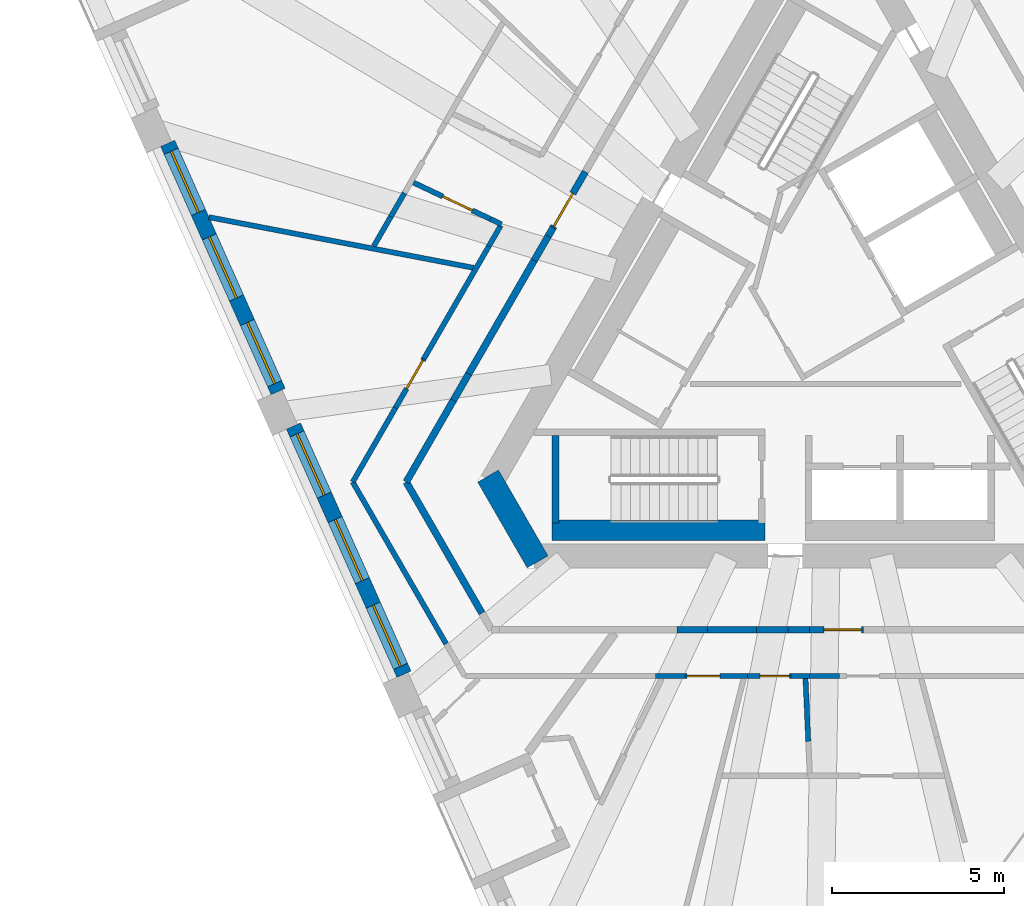
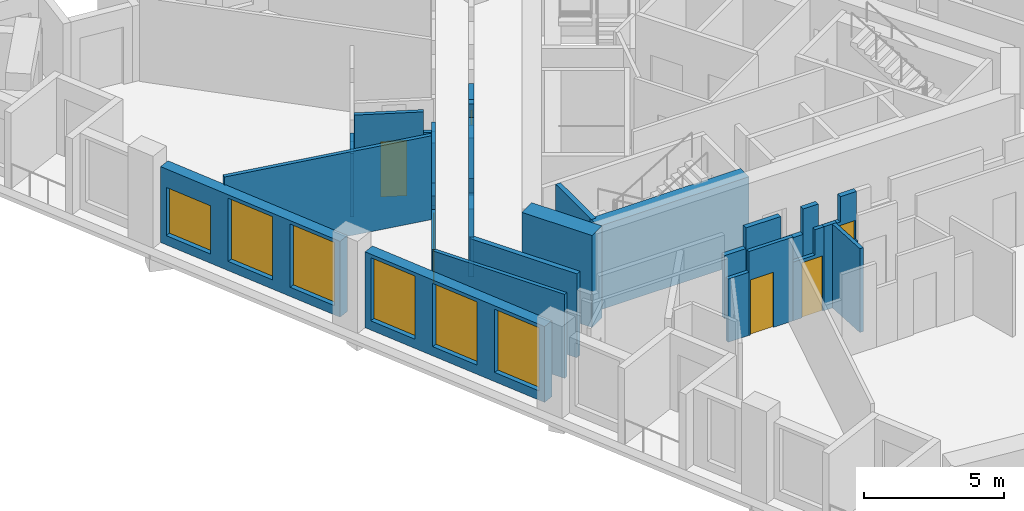
# One storey, part 3 of 11: 33 walls, 6 doors, 6 windows, 12 openings.
"""IFC4 building model written with IfcOpenShell, lengths in metres."""

from ifc_helpers import new_model, si_unit, direction, frame, frame_2d, origin, place, context, subcontext, project, spatial, polyline, rectangle, outline, extrude, material, layer, layer_set, type_object, element, fill, save


model = new_model("IFC4")

# Units and contexts
model_context = context("Model", 3, precision=1e-05, world=origin(), true_north=direction((0.0, 1.0)))
body_context = subcontext(model_context, "Body", "Model", "MODEL_VIEW")
ifc_project = project(units=[si_unit("LENGTHUNIT", "METRE"), si_unit("AREAUNIT", "SQUARE_METRE"), si_unit("VOLUMEUNIT", "CUBIC_METRE"), si_unit("PLANEANGLEUNIT", "RADIAN"), si_unit("MASSUNIT", "GRAM", prefix="KILO")], contexts=[model_context])

# Site, building, storey
site_placement = place(None, origin())
site = spatial("IfcSite", under=ifc_project, at=site_placement, CompositionType="ELEMENT")
building_placement = place(site_placement, origin())
building = spatial("IfcBuilding", under=site, at=building_placement, Name="Tramontana Tower", CompositionType="ELEMENT")
storey_placement = place(building_placement, frame((0.0, 0.0, 249.199951171875)))
storey = spatial("IfcBuildingStorey", under=building, at=storey_placement, Name="L58", CompositionType="ELEMENT", Elevation=249.199951171875)

# Wall
ifc_material_1 = material(Name="Concrete 70 MPa", Category="concrete")
ifc_layer_1 = layer(ifc_material_1, 0.699951171875)
ifc_layer_set_1 = layer_set([ifc_layer_1], Name="Core wall 700 70 MPa")
wall_type_1 = type_object("IfcWallType", Name="Core wall 700 70 MPa", PredefinedType="SHEAR", material=ifc_layer_set_1)
wall_1_placement = place(storey_placement, frame((-9.94482421875, -4.074951171875, 0.0), z_axis=(0.0, 0.0, 1.0), x_axis=(0.499995765644, -0.866027848477, 0.0)))
element("IfcWall", 1, at=wall_1_placement, inside=storey, type_object=wall_type_1, Name="Core wall C2 L58", PredefinedType="SHEAR", context=body_context, shape_type="SweptSolid", body=[
    extrude(rectangle(XDim=2.88671875, YDim=0.699951171875, at=frame_2d((1.443359375, 0.0))), origin(), (0.0, 0.0, 1.0), 4.0),
])

# Wall, opening, door
ifc_material_2 = material(Name="Blockwork", Category="masonry")
ifc_layer_2 = layer(ifc_material_2, 0.199951171875)
ifc_layer_set_2 = layer_set([ifc_layer_2], Name="ENTRY WALL 200")
wall_type_2 = type_object("IfcWallType", Name="ENTRY WALL 200", PredefinedType="SOLIDWALL", material=ifc_layer_set_2)
wall_2_placement = place(storey_placement, frame((0.98046875, -8.550048828125, 0.0), z_axis=(0.0, 0.0, 1.0), x_axis=(-1.0, 0.0, 0.0)))
wall_2 = element("IfcWall", 2, at=wall_2_placement, inside=storey, type_object=wall_type_2, Name="Wall v61-ew1-5", PredefinedType="SOLIDWALL", context=body_context, shape_type="SweptSolid", body=[
    extrude(outline(polyline([(0.0, 0.0), (1.565673828125, 0.0), (1.56591796875, 2.550048828125), (0.665771484375, 2.550048828125), (0.665771484375, 3.650146484375), (0.0, 3.650146484375), (0.0, 0.0)])), frame((0.0, 0.10009765625, 0.0), z_axis=(0.0, -1.0, 0.0), x_axis=(1.0, 0.0, 0.0)), (0.0, 0.0, 1.0), 0.199951171875),
])
opening_1_placement = place(wall_2_placement, frame((0.050048828125, 0.0, 0.0)))
opening_1 = element("IfcOpeningElement", 3, at=opening_1_placement, cuts=wall_2, Name="Opening B6B-22", PredefinedType="OPENING", context=body_context, shape_type="SweptSolid", body=[
    extrude(rectangle(XDim=1.10009765625, YDim=2.39990234375, at=frame_2d((0.550048828125, 1.199951171875))), frame((0.0, 0.10986328125, 0.0), z_axis=(0.0, -1.0, 0.0), x_axis=(1.0, 0.0, 0.0)), (0.0, 0.0, 1.0), 0.219970703125),
])
ifc_material_3 = material(Name="Painted timber", Category="wood")
door_type_1 = type_object("IfcDoorType", Name="DOOR ENTRY 1100", OperationType="SINGLE_SWING_LEFT", PredefinedType="DOOR", material=ifc_material_3)
door_1_placement = place(opening_1_placement, origin())
door_1 = element("IfcDoor", 4, at=door_1_placement, inside=storey, type_object=door_type_1, Name="Door B6B-22", OperationType="SINGLE_SWING_RIGHT", OverallHeight=2.39990234375, OverallWidth=1.10009765625, PredefinedType="DOOR", context=body_context, shape_type="SweptSolid", body=[
    extrude(rectangle(XDim=1.10009765625, YDim=2.39990234375, at=frame_2d((0.550048828125, 1.199951171875))), frame((0.0, 0.02490234375, 0.0), z_axis=(0.0, -1.0, 0.0), x_axis=(1.0, 0.0, 0.0)), (0.0, 0.0, 1.0), 0.050048828125),
])
fill(opening_1, door_1)

# Walls
wall_3_placement = place(storey_placement, frame((-0.585205078125, -8.550048828125, 0.0), z_axis=(0.0, 0.0, 1.0), x_axis=(-1.0, 0.0, 0.0)))
element("IfcWall", 5, at=wall_3_placement, inside=storey, type_object=wall_type_2, Name="Wall v61-ew1-6", PredefinedType="SOLIDWALL", context=body_context, shape_type="SweptSolid", body=[
    extrude(rectangle(XDim=0.6328125, YDim=0.199951171875, at=frame_2d((0.31640625, 0.0))), origin(), (0.0, 0.0, 1.0), 3.650146484375),
])
wall_4_placement = place(storey_placement, frame((-1.218017578125, -8.550048828125, 0.0), z_axis=(0.0, 0.0, 1.0), x_axis=(-1.0, 0.0, 0.0)))
element("IfcWall", 6, at=wall_4_placement, inside=storey, type_object=wall_type_2, Name="Wall v61-ew1-7", PredefinedType="SOLIDWALL", context=body_context, shape_type="SweptSolid", body=[
    extrude(rectangle(XDim=0.9169921875, YDim=0.199951171875, at=frame_2d((0.45849609375, 0.0))), origin(), (0.0, 0.0, 1.0), 2.550048828125),
])
wall_5_placement = place(storey_placement, frame((-2.135009765625, -8.550048828125, 0.0), z_axis=(0.0, 0.0, 1.0), x_axis=(-1.0, 0.0, 0.0)))
element("IfcWall", 7, at=wall_5_placement, inside=storey, type_object=wall_type_2, Name="Wall v61-ew1-8", PredefinedType="SOLIDWALL", context=body_context, shape_type="SweptSolid", body=[
    extrude(rectangle(XDim=1.4296875, YDim=0.199951171875, at=frame_2d((0.71484375, 0.0))), origin(), (0.0, 0.0, 1.0), 3.650146484375),
])
wall_6_placement = place(storey_placement, frame((-3.564697265625, -8.550048828125, 0.0), z_axis=(0.0, 0.0, 1.0), x_axis=(-1.0, 0.0, 0.0)))
element("IfcWall", 8, at=wall_6_placement, inside=storey, type_object=wall_type_2, Name="Wall v61-ew1-9", PredefinedType="SOLIDWALL", context=body_context, shape_type="SweptSolid", body=[
    extrude(rectangle(XDim=0.88330078125, YDim=0.199951171875, at=frame_2d((0.441650390625, 0.0))), origin(), (0.0, 0.0, 1.0), 2.75),
])
wall_7_placement = place(storey_placement, frame((-10.12255859375, -8.067138671875, 0.0), z_axis=(0.0, 0.0, 1.0), x_axis=(-0.500005339912, 0.866022320763, 0.0)))
element("IfcWall", 9, at=wall_7_placement, inside=storey, type_object=wall_type_2, Name="Wall v61-ew2-1", PredefinedType="SOLIDWALL", context=body_context, shape_type="SweptSolid", body=[
    extrude(rectangle(XDim=4.40771484375, YDim=0.199951171875, at=frame_2d((2.203857421875, 0.0))), origin(), (0.0, 0.0, 1.0), 3.650146484375),
])
wall_8_placement = place(storey_placement, frame((-12.326416015625, -4.25, 0.0), z_axis=(0.0, 0.0, 1.0), x_axis=(0.499994514761, 0.866028570666, 0.0)))
element("IfcWall", 10, at=wall_8_placement, inside=storey, type_object=wall_type_2, Name="Wall v61-ew3-0", PredefinedType="SOLIDWALL", context=body_context, shape_type="SweptSolid", body=[
    extrude(rectangle(XDim=2.74462890625, YDim=0.199951171875, at=frame_2d((1.372314453125, 0.0))), origin(), (0.0, 0.0, 1.0), 3.650146484375),
])
wall_9_placement = place(storey_placement, frame((-10.9541015625, -1.873046875, 0.0), z_axis=(0.0, 0.0, 1.0), x_axis=(0.500016243463, 0.866016025414, 0.0)))
element("IfcWall", 11, at=wall_9_placement, inside=storey, type_object=wall_type_2, Name="Wall v61-ew3-1", PredefinedType="SOLIDWALL", context=body_context, shape_type="SweptSolid", body=[
    extrude(rectangle(XDim=0.88720703125, YDim=0.199951171875, at=frame_2d((0.443603515625, 0.0))), origin(), (0.0, 0.0, 1.0), 2.949951171875),
])
wall_10_placement = place(storey_placement, frame((-10.510498046875, -1.104736328125, 0.0), z_axis=(0.0, 0.0, 1.0), x_axis=(0.499997905474, 0.866026613056, 0.0)))
element("IfcWall", 12, at=wall_10_placement, inside=storey, type_object=wall_type_2, Name="Wall v61-ew3-2", PredefinedType="SOLIDWALL", context=body_context, shape_type="SweptSolid", body=[
    extrude(rectangle(XDim=3.810546875, YDim=0.199951171875, at=frame_2d((1.9052734375, 0.0))), origin(), (0.0, 0.0, 1.0), 3.650146484375),
])
wall_11_placement = place(storey_placement, frame((-8.605224609375, 2.1953125, 0.0), z_axis=(0.0, 0.0, 1.0), x_axis=(0.499911126926, 0.866076708598, 0.0)))
element("IfcWall", 13, at=wall_11_placement, inside=storey, type_object=wall_type_2, Name="Wall v61-ew3-3", PredefinedType="SOLIDWALL", context=body_context, shape_type="SweptSolid", body=[
    extrude(rectangle(XDim=0.821533203125, YDim=0.199951171875, at=frame_2d((0.41064453125, 0.0))), origin(), (0.0, 0.0, 1.0), 2.75),
])
wall_12_placement = place(storey_placement, frame((-8.194580078125, 2.90673828125, 0.0), z_axis=(0.0, 0.0, 1.0), x_axis=(0.500220121494, 0.865898279276, 0.0)))
element("IfcWall", 14, at=wall_12_placement, inside=storey, type_object=wall_type_2, Name="Wall v61-ew3-4", PredefinedType="SOLIDWALL", context=body_context, shape_type="SweptSolid", body=[
    extrude(rectangle(XDim=0.282958984375, YDim=0.199951171875, at=frame_2d((0.1416015625, 0.0))), origin(), (0.0, 0.0, 1.0), 3.650146484375),
])

# Wall, opening, door
wall_13_placement = place(storey_placement, frame((-8.052978515625, 3.15185546875, 0.0), z_axis=(0.0, 0.0, 1.0), x_axis=(0.500059305753, 0.865991160884, 0.0)))
wall_13 = element("IfcWall", 15, at=wall_13_placement, inside=storey, type_object=wall_type_2, Name="Wall v61-ew3-5", PredefinedType="SOLIDWALL", context=body_context, shape_type="SweptSolid", body=[
    extrude(outline(polyline([(0.0, 0.0), (1.882080078125, 0.0), (1.882080078125, 2.550048828125), (0.982177734375, 2.550048828125), (0.982177734375, 3.650146484375), (0.0, 3.650146484375), (0.0, 0.0)])), frame((0.0, 0.10009765625, 0.0), z_axis=(0.0, -1.0, 0.0), x_axis=(1.0, 0.0, 0.0)), (0.0, 0.0, 1.0), 0.199951171875),
])
opening_2_placement = place(wall_13_placement, frame((0.050048828125, 0.0, 0.0)))
opening_2 = element("IfcOpeningElement", 16, at=opening_2_placement, cuts=wall_13, Name="Opening B6B-21", PredefinedType="OPENING", context=body_context, shape_type="SweptSolid", body=[
    extrude(rectangle(XDim=1.10009765625, YDim=2.39990234375, at=frame_2d((0.550048828125, 1.199951171875))), frame((0.0, 0.10986328125, 0.0), z_axis=(0.0, -1.0, 0.0), x_axis=(1.0, 0.0, 0.0)), (0.0, 0.0, 1.0), 0.219970703125),
])
door_2_placement = place(opening_2_placement, origin())
door_2 = element("IfcDoor", 17, at=door_2_placement, inside=storey, type_object=door_type_1, Name="Door B6B-21", OperationType="SINGLE_SWING_LEFT", OverallHeight=2.39990234375, OverallWidth=1.10009765625, PredefinedType="DOOR", context=body_context, shape_type="SweptSolid", body=[
    extrude(rectangle(XDim=1.10009765625, YDim=2.39990234375, at=frame_2d((0.550048828125, 1.199951171875))), frame((0.0, 0.02490234375, 0.0), z_axis=(0.0, -1.0, 0.0), x_axis=(1.0, 0.0, 0.0)), (0.0, 0.0, 1.0), 0.050048828125),
])
fill(opening_2, door_2)

# Wall, openings, windows
ifc_material_4 = material(Name="Precast concrete 60 MPa", Category="concrete")
ifc_layer_3 = layer(ifc_material_4, 0.449951171875)
ifc_layer_set_3 = layer_set([ifc_layer_3], Name="Precast concrete 60 MPa, 450 mm")
wall_type_3 = type_object("IfcWallType", Name="EW1 Stone-faced precast wall 450", PredefinedType="SOLIDWALL", material=ifc_layer_set_3)
wall_14_placement = place(storey_placement, frame((-19.271484375, 5.606201171875, 0.0), z_axis=(0.0, 0.0, 1.0), x_axis=(0.406760076741, -0.913535023942, 0.0)))
wall_14 = element("IfcWall", 18, at=wall_14_placement, inside=storey, type_object=wall_type_3, Name="External wall L58 face 0 bay 2", PredefinedType="SOLIDWALL", context=body_context, shape_type="SweptSolid", body=[
    extrude(rectangle(XDim=7.906494140625, YDim=0.449951171875, at=frame_2d((3.953125, 0.0))), origin(), (0.0, 0.0, 1.0), 3.300048828125),
])
opening_3_placement = place(wall_14_placement, frame((0.251220703125, 0.0, 0.39990234375)))
opening_3 = element("IfcOpeningElement", 19, at=opening_3_placement, cuts=wall_14, Name="Opening M3L", PredefinedType="OPENING", context=body_context, shape_type="SweptSolid", body=[
    extrude(rectangle(XDim=1.949951171875, YDim=2.10009765625, at=frame_2d((0.97509765625, 1.050048828125))), frame((0.0, 0.23486328125, 0.0), z_axis=(0.0, -1.0, 0.0), x_axis=(1.0, 0.0, 0.0)), (0.0, 0.0, 1.0), 0.469970703125),
])
opening_4_placement = place(wall_14_placement, frame((2.978271484375, 0.0, 0.39990234375)))
opening_4 = element("IfcOpeningElement", 20, at=opening_4_placement, cuts=wall_14, Name="Opening M3", PredefinedType="OPENING", context=body_context, shape_type="SweptSolid", body=[
    extrude(rectangle(XDim=1.949951171875, YDim=2.75, at=frame_2d((0.97509765625, 1.375))), frame((0.0, 0.23486328125, 0.0), z_axis=(0.0, -1.0, 0.0), x_axis=(1.0, 0.0, 0.0)), (0.0, 0.0, 1.0), 0.469970703125),
])
opening_5_placement = place(wall_14_placement, frame((5.70556640625, 0.0, 0.39990234375)))
opening_5 = element("IfcOpeningElement", 21, at=opening_5_placement, cuts=wall_14, Name="Opening M3", PredefinedType="OPENING", context=body_context, shape_type="SweptSolid", body=[
    extrude(rectangle(XDim=1.949951171875, YDim=2.75, at=frame_2d((0.97509765625, 1.375))), frame((0.0, 0.23486328125, 0.0), z_axis=(0.0, -1.0, 0.0), x_axis=(1.0, 0.0, 0.0)), (0.0, 0.0, 1.0), 0.469970703125),
])
ifc_material_5 = material(Name="Aluminum frame, double glazing unit", Category="aluminium")
window_type_1 = type_object("IfcWindowType", Name="M3 Window 1.95 x 2.75", PartitioningType="SINGLE_PANEL", PredefinedType="WINDOW", material=ifc_material_5)
window_1_placement = place(opening_4_placement, origin())
window_1 = element("IfcWindow", 22, at=window_1_placement, inside=storey, type_object=window_type_1, Name="Window M3 L58 face 0 module 5", OverallHeight=2.75, OverallWidth=1.949951171875, PartitioningType="SINGLE_PANEL", PredefinedType="WINDOW", context=body_context, shape_type="SweptSolid", body=[
    extrude(rectangle(XDim=1.949951171875, YDim=2.75, at=frame_2d((0.97509765625, 1.375))), frame((0.0, 0.030029296875, 0.0), z_axis=(0.0, -1.0, 0.0), x_axis=(1.0, 0.0, 0.0)), (0.0, 0.0, 1.0), 0.06005859375),
])
fill(opening_4, window_1)
window_2_placement = place(opening_5_placement, origin())
window_2 = element("IfcWindow", 23, at=window_2_placement, inside=storey, type_object=window_type_1, Name="Window M3 L58 face 0 module 6", OverallHeight=2.75, OverallWidth=1.949951171875, PartitioningType="SINGLE_PANEL", PredefinedType="WINDOW", context=body_context, shape_type="SweptSolid", body=[
    extrude(rectangle(XDim=1.949951171875, YDim=2.75, at=frame_2d((0.97509765625, 1.375))), frame((0.0, 0.030029296875, 0.0), z_axis=(0.0, -1.0, 0.0), x_axis=(1.0, 0.0, 0.0)), (0.0, 0.0, 1.0), 0.06005859375),
])
fill(opening_5, window_2)
ifc_material_6 = material(Name="Aluminum frame, double glazing unit", Category="aluminium")
window_type_2 = type_object("IfcWindowType", Name="M3L Window 1.95 x 2.1", PartitioningType="SINGLE_PANEL", PredefinedType="WINDOW", material=ifc_material_6)
window_3_placement = place(opening_3_placement, origin())
window_3 = element("IfcWindow", 24, at=window_3_placement, inside=storey, type_object=window_type_2, Name="Window M3L L58 face 0 module 4", OverallHeight=2.10009765625, OverallWidth=1.949951171875, PartitioningType="SINGLE_PANEL", PredefinedType="WINDOW", context=body_context, shape_type="SweptSolid", body=[
    extrude(rectangle(XDim=1.949951171875, YDim=2.10009765625, at=frame_2d((0.97509765625, 1.050048828125))), frame((0.0, 0.030029296875, 0.0), z_axis=(0.0, -1.0, 0.0), x_axis=(1.0, 0.0, 0.0)), (0.0, 0.0, 1.0), 0.06005859375),
])
fill(opening_3, window_3)

wall_15_placement = place(storey_placement, frame((-15.608154296875, -2.62158203125, 0.0), z_axis=(0.0, 0.0, 1.0), x_axis=(0.406748602972, -0.91354013266, 0.0)))
wall_15 = element("IfcWall", 25, at=wall_15_placement, inside=storey, type_object=wall_type_3, Name="External wall L58 face 0 bay 3", PredefinedType="SOLIDWALL", context=body_context, shape_type="SweptSolid", body=[
    extrude(rectangle(XDim=7.90673828125, YDim=0.449951171875, at=frame_2d((3.953369140625, 0.0))), origin(), (0.0, 0.0, 1.0), 3.300048828125),
])
opening_6_placement = place(wall_15_placement, frame((0.251220703125, 0.0, 0.39990234375)))
opening_6 = element("IfcOpeningElement", 26, at=opening_6_placement, cuts=wall_15, Name="Opening M3", PredefinedType="OPENING", context=body_context, shape_type="SweptSolid", body=[
    extrude(rectangle(XDim=1.949951171875, YDim=2.75, at=frame_2d((0.97509765625, 1.375))), frame((0.0, 0.23486328125, 0.0), z_axis=(0.0, -1.0, 0.0), x_axis=(1.0, 0.0, 0.0)), (0.0, 0.0, 1.0), 0.469970703125),
])
opening_7_placement = place(wall_15_placement, frame((2.978271484375, 0.0, 0.39990234375)))
opening_7 = element("IfcOpeningElement", 27, at=opening_7_placement, cuts=wall_15, Name="Opening M3", PredefinedType="OPENING", context=body_context, shape_type="SweptSolid", body=[
    extrude(rectangle(XDim=1.949951171875, YDim=2.75, at=frame_2d((0.97509765625, 1.375))), frame((0.0, 0.23486328125, 0.0), z_axis=(0.0, -1.0, 0.0), x_axis=(1.0, 0.0, 0.0)), (0.0, 0.0, 1.0), 0.469970703125),
])
opening_8_placement = place(wall_15_placement, frame((5.70556640625, 0.0, 0.39990234375)))
opening_8 = element("IfcOpeningElement", 28, at=opening_8_placement, cuts=wall_15, Name="Opening M3", PredefinedType="OPENING", context=body_context, shape_type="SweptSolid", body=[
    extrude(rectangle(XDim=1.949951171875, YDim=2.75, at=frame_2d((0.97509765625, 1.375))), frame((0.0, 0.23486328125, 0.0), z_axis=(0.0, -1.0, 0.0), x_axis=(1.0, 0.0, 0.0)), (0.0, 0.0, 1.0), 0.469970703125),
])
window_4_placement = place(opening_6_placement, origin())
window_4 = element("IfcWindow", 29, at=window_4_placement, inside=storey, type_object=window_type_1, Name="Window M3 L58 face 0 module 7", OverallHeight=2.75, OverallWidth=1.949951171875, PartitioningType="SINGLE_PANEL", PredefinedType="WINDOW", context=body_context, shape_type="SweptSolid", body=[
    extrude(rectangle(XDim=1.949951171875, YDim=2.75, at=frame_2d((0.97509765625, 1.375))), frame((0.0, 0.030029296875, 0.0), z_axis=(0.0, -1.0, 0.0), x_axis=(1.0, 0.0, 0.0)), (0.0, 0.0, 1.0), 0.06005859375),
])
fill(opening_6, window_4)
window_5_placement = place(opening_7_placement, origin())
window_5 = element("IfcWindow", 30, at=window_5_placement, inside=storey, type_object=window_type_1, Name="Window M3 L58 face 0 module 8", OverallHeight=2.75, OverallWidth=1.949951171875, PartitioningType="SINGLE_PANEL", PredefinedType="WINDOW", context=body_context, shape_type="SweptSolid", body=[
    extrude(rectangle(XDim=1.949951171875, YDim=2.75, at=frame_2d((0.97509765625, 1.375))), frame((0.0, 0.030029296875, 0.0), z_axis=(0.0, -1.0, 0.0), x_axis=(1.0, 0.0, 0.0)), (0.0, 0.0, 1.0), 0.06005859375),
])
fill(opening_7, window_5)
window_6_placement = place(opening_8_placement, origin())
window_6 = element("IfcWindow", 31, at=window_6_placement, inside=storey, type_object=window_type_1, Name="Window M3 L58 face 0 module 9", OverallHeight=2.75, OverallWidth=1.949951171875, PartitioningType="SINGLE_PANEL", PredefinedType="WINDOW", context=body_context, shape_type="SweptSolid", body=[
    extrude(rectangle(XDim=1.949951171875, YDim=2.75, at=frame_2d((0.97509765625, 1.375))), frame((0.0, 0.030029296875, 0.0), z_axis=(0.0, -1.0, 0.0), x_axis=(1.0, 0.0, 0.0)), (0.0, 0.0, 1.0), 0.06005859375),
])
fill(opening_8, window_6)

# Wall
ifc_material_7 = material(Name="Gypsum board partition")
ifc_layer_4 = layer(ifc_material_7, 0.14990234375)
ifc_layer_set_4 = layer_set([ifc_layer_4], Name="PARTITION 150")
wall_type_4 = type_object("IfcWallType", Name="PARTITION 150", PredefinedType="PARTITIONING", material=ifc_layer_set_4)
wall_16_placement = place(storey_placement, frame((-13.88525390625, -4.25, 0.0), z_axis=(0.0, 0.0, 1.0), x_axis=(0.499999788377, 0.866025525965, 0.0)))
element("IfcWall", 32, at=wall_16_placement, inside=storey, type_object=wall_type_4, Name="Wall v61-pw01-0", PredefinedType="PARTITIONING", context=body_context, shape_type="SweptSolid", body=[
    extrude(rectangle(XDim=2.4892578125, YDim=0.14990234375, at=frame_2d((1.24462890625, 0.0))), origin(), (0.0, 0.0, 1.0), 3.650146484375),
])

# Wall, opening, door
wall_17_placement = place(storey_placement, frame((-12.640625, -2.09423828125, 0.0), z_axis=(0.0, 0.0, 1.0), x_axis=(0.500025879676, 0.866010461631, 0.0)))
wall_17 = element("IfcWall", 33, at=wall_17_placement, inside=storey, type_object=wall_type_4, Name="Wall v61-pw01-1", PredefinedType="PARTITIONING", context=body_context, shape_type="SweptSolid", body=[
    extrude(outline(polyline([(0.0, 0.0), (1.6484375, 0.0), (1.6484375, 3.650146484375), (0.85546875, 3.650146484375), (0.85546875, 2.949951171875), (0.0, 2.949951171875), (0.0, 0.0)])), frame((0.0, 0.074951171875, 0.0), z_axis=(0.0, -1.0, 0.0), x_axis=(1.0, 0.0, 0.0)), (0.0, 0.0, 1.0), 0.14990234375),
])
opening_9_placement = place(wall_17_placement, frame((0.6484375, 0.0, 0.0)))
opening_9 = element("IfcOpeningElement", 34, at=opening_9_placement, cuts=wall_17, Name="Opening B6B-06", PredefinedType="OPENING", context=body_context, shape_type="SweptSolid", body=[
    extrude(rectangle(XDim=0.949951171875, YDim=2.39990234375, at=frame_2d((0.47509765625, 1.199951171875))), frame((0.0, 0.0849609375, 0.0), z_axis=(0.0, -1.0, 0.0), x_axis=(1.0, 0.0, 0.0)), (0.0, 0.0, 1.0), 0.169921875),
])
ifc_material_8 = material(Name="Painted timber", Category="wood")
door_type_2 = type_object("IfcDoorType", Name="DOOR ROOM 950", OperationType="SINGLE_SWING_LEFT", PredefinedType="DOOR", material=ifc_material_8)
door_3_placement = place(opening_9_placement, origin())
door_3 = element("IfcDoor", 35, at=door_3_placement, inside=storey, type_object=door_type_2, Name="Door B6B-06", OperationType="SINGLE_SWING_RIGHT", OverallHeight=2.39990234375, OverallWidth=0.949951171875, PredefinedType="DOOR", context=body_context, shape_type="SweptSolid", body=[
    extrude(rectangle(XDim=0.949951171875, YDim=2.39990234375, at=frame_2d((0.47509765625, 1.199951171875))), frame((0.0, 0.02490234375, 0.0), z_axis=(0.0, -1.0, 0.0), x_axis=(1.0, 0.0, 0.0)), (0.0, 0.0, 1.0), 0.050048828125),
])
fill(opening_9, door_3)

# Walls
wall_18_placement = place(storey_placement, frame((-11.81640625, -0.666748046875, 0.0), z_axis=(0.0, 0.0, 1.0), x_axis=(0.500005522576, 0.8660222153, 0.0)))
element("IfcWall", 36, at=wall_18_placement, inside=storey, type_object=wall_type_4, Name="Wall v61-pw01-2", PredefinedType="PARTITIONING", context=body_context, shape_type="SweptSolid", body=[
    extrude(rectangle(XDim=3.78271484375, YDim=0.14990234375, at=frame_2d((1.891357421875, 0.0))), origin(), (0.0, 0.0, 1.0), 3.650146484375),
])
wall_19_placement = place(storey_placement, frame((-9.925048828125, 2.609130859375, 0.0), z_axis=(0.0, 0.0, 1.0), x_axis=(0.499953188488, 0.866052428737, 0.0)))
element("IfcWall", 37, at=wall_19_placement, inside=storey, type_object=wall_type_4, Name="Wall v61-pw01-3", PredefinedType="PARTITIONING", context=body_context, shape_type="SweptSolid", body=[
    extrude(rectangle(XDim=0.7021484375, YDim=0.14990234375, at=frame_2d((0.35107421875, 0.0))), origin(), (0.0, 0.0, 1.0), 2.75),
])
wall_20_placement = place(storey_placement, frame((-13.27001953125, 2.61572265625, 0.0), z_axis=(0.0, 0.0, 1.0), x_axis=(0.49997816789, 0.866038008192, 0.0)))
element("IfcWall", 38, at=wall_20_placement, inside=storey, type_object=wall_type_4, Name="Wall v61-pw02-0", PredefinedType="PARTITIONING", context=body_context, shape_type="SweptSolid", body=[
    extrude(rectangle(XDim=0.99169921875, YDim=0.14990234375, at=frame_2d((0.495849609375, 0.0))), origin(), (0.0, 0.0, 1.0), 3.650146484375),
])
wall_21_placement = place(storey_placement, frame((-12.774169921875, 3.474609375, 0.0), z_axis=(0.0, 0.0, 1.0), x_axis=(0.500165123728, 0.865930048564, 0.0)))
element("IfcWall", 39, at=wall_21_placement, inside=storey, type_object=wall_type_4, Name="Wall v61-pw02-1", PredefinedType="PARTITIONING", context=body_context, shape_type="SweptSolid", body=[
    extrude(rectangle(XDim=0.795654296875, YDim=0.14990234375, at=frame_2d((0.39794921875, 0.0))), origin(), (0.0, 0.0, 1.0), 2.75),
])
wall_22_placement = place(storey_placement, frame((-11.1650390625, -8.96142578125, 0.0), z_axis=(0.0, 0.0, 1.0), x_axis=(-0.500009912158, 0.866019680922, 0.0)))
element("IfcWall", 40, at=wall_22_placement, inside=storey, type_object=wall_type_4, Name="Wall v61-pw05-2", PredefinedType="PARTITIONING", context=body_context, shape_type="SweptSolid", body=[
    extrude(rectangle(XDim=5.4404296875, YDim=0.14990234375, at=frame_2d((2.72021484375, 0.0))), origin(), (0.0, 0.0, 1.0), 3.650146484375),
])
wall_23_placement = place(storey_placement, frame((-10.3720703125, 1.98486328125, 0.0), z_axis=(0.0, 0.0, 1.0), x_axis=(-0.982181141847, 0.187936703706, 0.0)))
element("IfcWall", 41, at=wall_23_placement, inside=storey, type_object=wall_type_4, Name="Wall v61-pw06", PredefinedType="PARTITIONING", context=body_context, shape_type="SweptSolid", body=[
    extrude(rectangle(XDim=7.8359375, YDim=0.14990234375, at=frame_2d((3.91796875, 0.0))), origin(), (0.0, 0.0, 1.0), 3.650146484375),
])
wall_24_placement = place(storey_placement, frame((-9.553955078125, 3.251953125, 0.0), z_axis=(0.0, 0.0, 1.0), x_axis=(-0.903821601286, 0.427909468287, 0.0)))
element("IfcWall", 42, at=wall_24_placement, inside=storey, type_object=wall_type_4, Name="Wall v61-pw07-0", PredefinedType="PARTITIONING", context=body_context, shape_type="SweptSolid", body=[
    extrude(rectangle(XDim=0.35595703125, YDim=0.14990234375, at=frame_2d((0.177978515625, 0.0))), origin(), (0.0, 0.0, 1.0), 2.75),
])

# Wall, opening, door
wall_25_placement = place(storey_placement, frame((-9.875732421875, 3.404296875, 0.0), z_axis=(0.0, 0.0, 1.0), x_axis=(-0.903816051191, 0.427921190886, 0.0)))
wall_25 = element("IfcWall", 43, at=wall_25_placement, inside=storey, type_object=wall_type_4, Name="Wall v61-pw07-1", PredefinedType="PARTITIONING", context=body_context, shape_type="SweptSolid", body=[
    extrude(rectangle(XDim=2.478271484375, YDim=0.14990234375, at=frame_2d((1.2392578125, 0.0))), origin(), (0.0, 0.0, 1.0), 3.650146484375),
])
opening_10_placement = place(wall_25_placement, frame((0.586181640625, 0.0, 0.0)))
opening_10 = element("IfcOpeningElement", 44, at=opening_10_placement, cuts=wall_25, Name="Opening B6B-01", PredefinedType="OPENING", context=body_context, shape_type="SweptSolid", body=[
    extrude(rectangle(XDim=0.949951171875, YDim=2.39990234375, at=frame_2d((0.47509765625, 1.199951171875))), frame((0.0, 0.0849609375, 0.0), z_axis=(0.0, -1.0, 0.0), x_axis=(1.0, 0.0, 0.0)), (0.0, 0.0, 1.0), 0.169921875),
])
door_4_placement = place(opening_10_placement, origin())
door_4 = element("IfcDoor", 45, at=door_4_placement, inside=storey, type_object=door_type_2, Name="Door B6B-01", OperationType="SINGLE_SWING_LEFT", OverallHeight=2.39990234375, OverallWidth=0.949951171875, PredefinedType="DOOR", context=body_context, shape_type="SweptSolid", body=[
    extrude(rectangle(XDim=0.949951171875, YDim=2.39990234375, at=frame_2d((0.47509765625, 1.199951171875))), frame((0.0, 0.02490234375, 0.0), z_axis=(0.0, -1.0, 0.0), x_axis=(1.0, 0.0, 0.0)), (0.0, 0.0, 1.0), 0.050048828125),
])
fill(opening_10, door_4)

# Walls
wall_26_placement = place(storey_placement, frame((-0.6240234375, -11.79638671875, 0.0), z_axis=(0.0, 0.0, 1.0), x_axis=(-0.04442060274, 0.999012917861, 0.0)))
element("IfcWall", 46, at=wall_26_placement, inside=storey, type_object=wall_type_4, Name="Wall v61-pw17-1", PredefinedType="PARTITIONING", context=body_context, shape_type="SweptSolid", body=[
    extrude(rectangle(XDim=1.896240234375, YDim=0.14990234375, at=frame_2d((0.9482421875, 0.0))), origin(), (0.0, 0.0, 1.0), 3.650146484375),
])
wall_27_placement = place(storey_placement, frame((0.281005859375, -9.89990234375, 0.0), z_axis=(0.0, 0.0, 1.0), x_axis=(-1.0, 0.0, 0.0)))
element("IfcWall", 47, at=wall_27_placement, inside=storey, type_object=wall_type_4, Name="Wall v61-pw28-5", PredefinedType="PARTITIONING", context=body_context, shape_type="SweptSolid", body=[
    extrude(rectangle(XDim=0.875, YDim=0.14990234375, at=frame_2d((0.4375, 0.0))), origin(), (0.0, 0.0, 1.0), 2.550048828125),
])
wall_28_placement = place(storey_placement, frame((-0.593994140625, -9.89990234375, 0.0), z_axis=(0.0, 0.0, 1.0), x_axis=(-1.0, 0.0, 0.0)))
element("IfcWall", 48, at=wall_28_placement, inside=storey, type_object=wall_type_4, Name="Wall v61-pw28-6", PredefinedType="PARTITIONING", context=body_context, shape_type="SweptSolid", body=[
    extrude(rectangle(XDim=0.5302734375, YDim=0.14990234375, at=frame_2d((0.26513671875, 0.0))), origin(), (0.0, 0.0, 1.0), 3.650146484375),
])

# Wall, opening, door
wall_29_placement = place(storey_placement, frame((-1.124267578125, -9.89990234375, 0.0), z_axis=(0.0, 0.0, 1.0), x_axis=(-1.0, 0.0, 0.0)))
wall_29 = element("IfcWall", 49, at=wall_29_placement, inside=storey, type_object=wall_type_4, Name="Wall v61-pw28-7", PredefinedType="PARTITIONING", context=body_context, shape_type="SweptSolid", body=[
    extrude(outline(polyline([(0.0, 0.0), (1.262939453125, 0.0), (1.262939453125, 2.550048828125), (0.371337890625, 2.550048828125), (0.371337890625, 3.650146484375), (0.0, 3.650146484375), (0.0, 0.0)])), frame((0.0, 0.074951171875, 0.0), z_axis=(0.0, -1.0, 0.0), x_axis=(1.0, 0.0, 0.0)), (0.0, 0.0, 1.0), 0.14990234375),
])
opening_11_placement = place(wall_29_placement, frame((0.050048828125, 0.0, 0.0)))
opening_11 = element("IfcOpeningElement", 50, at=opening_11_placement, cuts=wall_29, Name="Opening B6B-09", PredefinedType="OPENING", context=body_context, shape_type="SweptSolid", body=[
    extrude(rectangle(XDim=0.85009765625, YDim=2.39990234375, at=frame_2d((0.425048828125, 1.199951171875))), frame((0.0, 0.0849609375, 0.0), z_axis=(0.0, -1.0, 0.0), x_axis=(1.0, 0.0, 0.0)), (0.0, 0.0, 1.0), 0.169921875),
])
ifc_material_9 = material(Name="Painted timber", Category="wood")
door_type_3 = type_object("IfcDoorType", Name="DOOR BATH 850", OperationType="SINGLE_SWING_LEFT", PredefinedType="DOOR", material=ifc_material_9)
door_5_placement = place(opening_11_placement, origin())
door_5 = element("IfcDoor", 51, at=door_5_placement, inside=storey, type_object=door_type_3, Name="Door B6B-09", OperationType="SINGLE_SWING_LEFT", OverallHeight=2.39990234375, OverallWidth=0.85009765625, PredefinedType="DOOR", context=body_context, shape_type="SweptSolid", body=[
    extrude(rectangle(XDim=0.85009765625, YDim=2.39990234375, at=frame_2d((0.425048828125, 1.199951171875))), frame((0.0, 0.02490234375, 0.0), z_axis=(0.0, -1.0, 0.0), x_axis=(1.0, 0.0, 0.0)), (0.0, 0.0, 1.0), 0.050048828125),
])
fill(opening_11, door_5)

wall_30_placement = place(storey_placement, frame((-2.38720703125, -9.89990234375, 0.0), z_axis=(0.0, 0.0, 1.0), x_axis=(-1.0, 0.0, 0.0)))
wall_30 = element("IfcWall", 52, at=wall_30_placement, inside=storey, type_object=wall_type_4, Name="Wall v61-pw28-8", PredefinedType="PARTITIONING", context=body_context, shape_type="SweptSolid", body=[
    extrude(rectangle(XDim=1.82373046875, YDim=0.14990234375, at=frame_2d((0.911865234375, 0.0))), origin(), (0.0, 0.0, 1.0), 3.650146484375),
])
opening_12_placement = place(wall_30_placement, frame((0.81103515625, 0.0, 0.0)))
opening_12 = element("IfcOpeningElement", 53, at=opening_12_placement, cuts=wall_30, Name="Opening B6B-10", PredefinedType="OPENING", context=body_context, shape_type="SweptSolid", body=[
    extrude(rectangle(XDim=0.949951171875, YDim=2.39990234375, at=frame_2d((0.47509765625, 1.199951171875))), frame((0.0, 0.0849609375, 0.0), z_axis=(0.0, -1.0, 0.0), x_axis=(1.0, 0.0, 0.0)), (0.0, 0.0, 1.0), 0.169921875),
])
door_6_placement = place(opening_12_placement, origin())
door_6 = element("IfcDoor", 54, at=door_6_placement, inside=storey, type_object=door_type_2, Name="Door B6B-10", OperationType="SINGLE_SWING_RIGHT", OverallHeight=2.39990234375, OverallWidth=0.949951171875, PredefinedType="DOOR", context=body_context, shape_type="SweptSolid", body=[
    extrude(rectangle(XDim=0.949951171875, YDim=2.39990234375, at=frame_2d((0.47509765625, 1.199951171875))), frame((0.0, 0.02490234375, 0.0), z_axis=(0.0, -1.0, 0.0), x_axis=(1.0, 0.0, 0.0)), (0.0, 0.0, 1.0), 0.050048828125),
])
fill(opening_12, door_6)

# Walls
wall_31_placement = place(storey_placement, frame((-4.2109375, -9.89990234375, 0.0), z_axis=(0.0, 0.0, 1.0), x_axis=(-1.0, 0.0, 0.0)))
element("IfcWall", 55, at=wall_31_placement, inside=storey, type_object=wall_type_4, Name="Wall v61-pw28-9", PredefinedType="PARTITIONING", context=body_context, shape_type="SweptSolid", body=[
    extrude(rectangle(XDim=0.85595703125, YDim=0.14990234375, at=frame_2d((0.427978515625, 0.0))), origin(), (0.0, 0.0, 1.0), 2.75),
])
ifc_material_10 = material(Name="Concrete 70 MPa", Category="concrete")
ifc_layer_5 = layer(ifc_material_10, 0.60009765625)
ifc_layer_set_5 = layer_set([ifc_layer_5], Name="Concrete 70 MPa, 600 mm")
wall_type_5 = type_object("IfcWallType", Name="RC SHAFT BACK WALL 600", PredefinedType="SOLIDWALL", material=ifc_layer_set_5)
wall_32_placement = place(storey_placement, frame((-8.080078125, -5.64990234375, 0.0), z_axis=(0.0, 0.0, 1.0), x_axis=(1.0, 0.0, 0.0)))
element("IfcWall", 56, at=wall_32_placement, inside=storey, type_object=wall_type_5, Name="Wall st2-back", PredefinedType="SOLIDWALL", context=body_context, shape_type="SweptSolid", body=[
    extrude(rectangle(XDim=6.2001953125, YDim=0.60009765625, at=frame_2d((3.10009765625, 0.0))), origin(), (0.0, 0.0, 1.0), 3.650146484375),
])
ifc_material_11 = material(Name="Concrete 70 MPa", Category="concrete")
ifc_layer_6 = layer(ifc_material_11, 0.199951171875)
ifc_layer_set_6 = layer_set([ifc_layer_6], Name="Concrete 70 MPa, 200 mm")
wall_type_6 = type_object("IfcWallType", Name="RC STAIR AND SHAFT WALL 200", PredefinedType="SOLIDWALL", material=ifc_layer_set_6)
wall_33_placement = place(storey_placement, frame((-7.97998046875, -2.89990234375, 0.0), z_axis=(0.0, 0.0, 1.0), x_axis=(0.0, -1.0, 0.0)))
element("IfcWall", 57, at=wall_33_placement, inside=storey, type_object=wall_type_6, Name="Wall st2-far", PredefinedType="SOLIDWALL", context=body_context, shape_type="SweptSolid", body=[
    extrude(rectangle(XDim=2.550048828125, YDim=0.199951171875, at=frame_2d((1.27490234375, 0.0))), origin(), (0.0, 0.0, 1.0), 3.650146484375),
])

save(model, "model.ifc")
